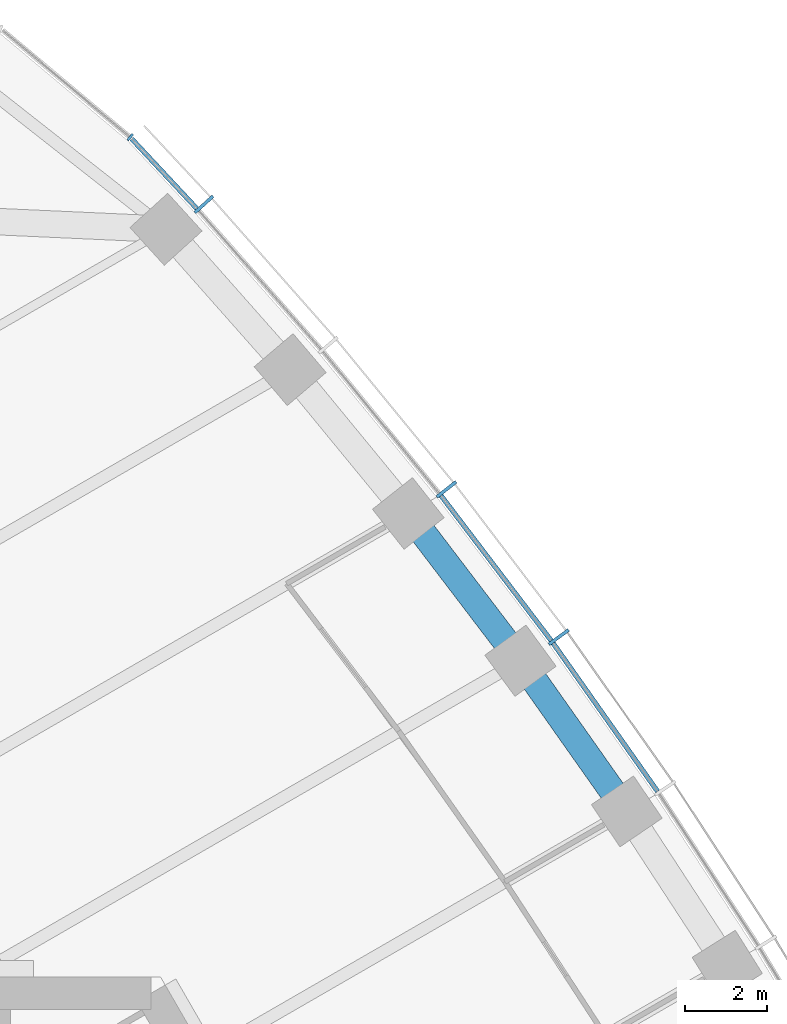
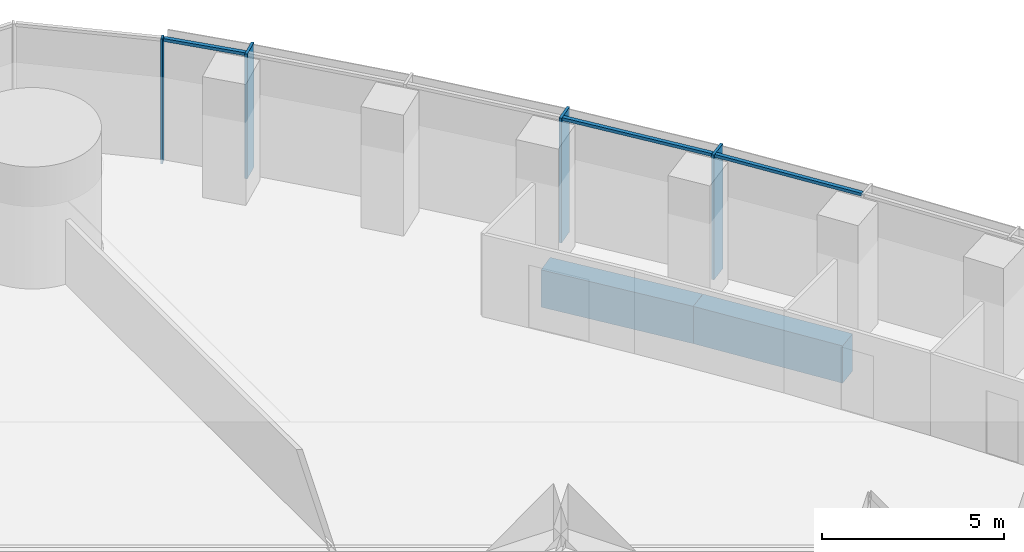
# One storey, part 7 of 19: 7 members, 2 beams, 2 elements without a shape of their own.
"""IFC4 building model written with IfcOpenShell, lengths in metres."""

from ifc_helpers import new_model, si_unit, direction, frame, origin, origin_2d, place, context, subcontext, project, spatial, rectangle, extrude, material, material_profile, profile_set, type_object, element, aggregate, save


model = new_model("IFC4")

# Units and contexts
model_context = context("Model", 3, precision=1e-05, world=origin(), true_north=direction((0.0, 1.0)))
body_context = subcontext(model_context, "Body", "Model", "MODEL_VIEW")
ifc_project = project(units=[si_unit("LENGTHUNIT", "METRE"), si_unit("AREAUNIT", "SQUARE_METRE"), si_unit("VOLUMEUNIT", "CUBIC_METRE"), si_unit("PLANEANGLEUNIT", "RADIAN"), si_unit("MASSUNIT", "GRAM", prefix="KILO")], contexts=[model_context])

# Site, building, storey
site_placement = place(None, origin())
site = spatial("IfcSite", under=ifc_project, at=site_placement, CompositionType="ELEMENT")
building_placement = place(site_placement, origin())
building = spatial("IfcBuilding", under=site, at=building_placement, Name="Trefoil Bronze Tower", CompositionType="ELEMENT")
storey_placement = place(building_placement, frame((0.0, 0.0, 140.89990234375)))
storey = spatial("IfcBuildingStorey", under=building, at=storey_placement, Name="L32", CompositionType="ELEMENT", Elevation=140.89990234375)

# Curtain wall, members
ifc_material_1 = material(Name="Tinted solar-control glass", Category="glass")
curtain_wall_type_1 = type_object("IfcCurtainWallType", Name="Bronze office curtain wall", PredefinedType="USERDEFINED", material=ifc_material_1)
curtain_wall_1_placement = place(storey_placement, origin())
curtain_wall_1 = element("IfcCurtainWall", 1, at=curtain_wall_1_placement, inside=storey, type_object=curtain_wall_type_1, Name="CW-A L32 F2", ObjectType="CURTAIN WALL", PredefinedType="USERDEFINED")
ifc_material_2 = material(Name="Bronze-finish aluminium", Category="aluminium")
ifc_material_profile_1 = material_profile(ifc_material_2, rectangle(XDim=0.60009765625, YDim=0.080078125, at=origin_2d()), Name="CW-A mullion")
ifc_profile_set_1 = profile_set([ifc_material_profile_1], Name="Bronze-finish aluminium")
member_type_1 = type_object("IfcMemberType", Name="Bronze office curtain wall mullion", PredefinedType="MULLION", material=ifc_profile_set_1)
member_1_placement = place(storey_placement, frame((15.764404296875, 24.7275390625, 0.0), z_axis=(0.0, 0.0, 1.0), x_axis=(-0.806874522901, -0.590722865897, 0.0)))
member_1 = element("IfcMember", 2, at=member_1_placement, type_object=member_type_1, Name="CW-A L32 F2 mullion 11", PredefinedType="MULLION", context=body_context, shape_type="SweptSolid", body=[
    extrude(rectangle(XDim=0.60009765625, YDim=0.080078125, at=origin_2d()), origin(), (0.0, 0.0, 1.0), 4.18017578125),
])
member_2_placement = place(storey_placement, frame((13.01220703125, 28.34716796875, 0.0), z_axis=(0.0, 0.0, 1.0), x_axis=(-0.78487913905, -0.619648882098, 0.0)))
member_2 = element("IfcMember", 3, at=member_2_placement, type_object=member_type_1, Name="CW-A L32 F2 mullion 12", PredefinedType="MULLION", context=body_context, shape_type="SweptSolid", body=[
    extrude(rectangle(XDim=0.60009765625, YDim=0.080078125, at=origin_2d()), origin(), (0.0, 0.0, 1.0), 4.18017578125),
])
member_3_placement = place(storey_placement, frame((7.070068359375, 35.332275390625, 0.0), z_axis=(0.0, 0.0, 1.0), x_axis=(-0.740360700327, -0.672209813534, 0.0)))
member_3 = element("IfcMember", 4, at=member_3_placement, type_object=member_type_1, Name="CW-A L32 F2 mullion 14", PredefinedType="MULLION", context=body_context, shape_type="SweptSolid", body=[
    extrude(rectangle(XDim=0.60009765625, YDim=0.080078125, at=origin_2d()), origin(), (0.0, 0.0, 1.0), 4.18017578125),
])
ifc_material_3 = material(Name="Bronze-finish aluminium", Category="aluminium")
ifc_material_profile_2 = material_profile(ifc_material_3, rectangle(XDim=0.1201171875, YDim=0.10009765625, at=origin_2d()), Name="CW-A transom")
ifc_profile_set_2 = profile_set([ifc_material_profile_2], Name="Bronze-finish aluminium")
member_type_2 = type_object("IfcMemberType", Name="Bronze office curtain wall transom", PredefinedType="USERDEFINED", material=ifc_profile_set_2)
member_4_placement = place(storey_placement, frame((18.18359375, 20.947021484375, 4.130126953125), z_axis=(-0.576017858824, 0.817437108478, 0.0), x_axis=(-0.817437108478, -0.576017858824, 0.0)))
member_4 = element("IfcMember", 5, at=member_4_placement, type_object=member_type_2, Name="CW-A L32 F2 transom 10", ObjectType="TRANSOM", PredefinedType="USERDEFINED", context=body_context, shape_type="SweptSolid", body=[
    extrude(rectangle(XDim=0.1201171875, YDim=0.10009765625, at=origin_2d()), origin(), (0.0, 0.0, 1.0), 4.4384765625),
])
member_5_placement = place(storey_placement, frame((15.57763671875, 24.642578125, 4.130126953125), z_axis=(-0.605229114572, 0.796051329296, 0.0), x_axis=(-0.796051329296, -0.605229114572, 0.0)))
member_5 = element("IfcMember", 6, at=member_5_placement, type_object=member_type_2, Name="CW-A L32 F2 transom 11", ObjectType="TRANSOM", PredefinedType="USERDEFINED", context=body_context, shape_type="SweptSolid", body=[
    extrude(rectangle(XDim=0.1201171875, YDim=0.10009765625, at=origin_2d()), origin(), (0.0, 0.0, 1.0), 4.456298828125),
])
member_6_placement = place(storey_placement, frame((6.893798828125, 35.22802734375, 4.130126953125), z_axis=(-0.682489214428, 0.730895664366, 0.0), x_axis=(-0.730895664366, -0.682489214428, 0.0)))
member_6 = element("IfcMember", 7, at=member_6_placement, type_object=member_type_2, Name="CW-A L32 F2 transom 14", ObjectType="TRANSOM", PredefinedType="USERDEFINED", context=body_context, shape_type="SweptSolid", body=[
    extrude(rectangle(XDim=0.1201171875, YDim=0.10009765625, at=origin_2d()), origin(), (0.0, 0.0, 1.0), 2.340087890625),
])
aggregate(curtain_wall_1, [member_1, member_2, member_3, member_4, member_5, member_6])

# Curtain wall, member
ifc_material_4 = material(Name="Tinted solar-control glass", Category="glass")
curtain_wall_type_2 = type_object("IfcCurtainWallType", Name="Bronze rounded corner curtain wall", PredefinedType="USERDEFINED", material=ifc_material_4)
curtain_wall_2_placement = place(storey_placement, origin())
curtain_wall_2 = element("IfcCurtainWall", 8, at=curtain_wall_2_placement, inside=storey, type_object=curtain_wall_type_2, Name="CW-B L32 K2", ObjectType="CURTAIN WALL", PredefinedType="USERDEFINED")
ifc_material_5 = material(Name="Bronze-finish aluminium", Category="aluminium")
ifc_material_profile_3 = material_profile(ifc_material_5, rectangle(XDim=0.199951171875, YDim=0.06005859375, at=origin_2d()), Name="CW-B mullion")
ifc_profile_set_3 = profile_set([ifc_material_profile_3], Name="Bronze-finish aluminium")
member_type_3 = type_object("IfcMemberType", Name="Bronze rounded corner curtain wall mullion", PredefinedType="MULLION", material=ifc_profile_set_3)
member_7_placement = place(storey_placement, frame((5.260498046875, 36.975830078125, 0.0), z_axis=(0.0, 0.0, 1.0), x_axis=(-0.642787609687, -0.766044443119, 0.0)))
member_7 = element("IfcMember", 9, at=member_7_placement, type_object=member_type_3, Name="CW-B L32 K2 mullion 1", PredefinedType="MULLION", context=body_context, shape_type="SweptSolid", body=[
    extrude(rectangle(XDim=0.199951171875, YDim=0.06005859375, at=origin_2d()), origin(), (0.0, 0.0, 1.0), 4.18017578125),
])
aggregate(curtain_wall_2, [member_7])

# Beams
ifc_material_6 = material(Name="Concrete B80", Category="concrete")
ifc_material_profile_4 = material_profile(ifc_material_6, rectangle(XDim=0.64990234375, YDim=1.25, at=origin_2d()), Name="RC 650x1250")
ifc_profile_set_4 = profile_set([ifc_material_profile_4], Name="Concrete B80")
beam_type = type_object("IfcBeamType", Name="Spandrel beam RC 650x1250", PredefinedType="SPANDREL", material=ifc_profile_set_4)
beam_1_placement = place(storey_placement, frame((17.43017578125, 20.45556640625, -0.824951171875), z_axis=(-0.576439228712, 0.81714002203, 0.0), x_axis=(-0.81714002203, -0.576439228712, 0.0)))
element("IfcBeam", 10, at=beam_1_placement, inside=storey, type_object=beam_type, Name="Spandrel F2.10 L32", PredefinedType="SPANDREL", context=body_context, shape_type="SweptSolid", body=[
    extrude(rectangle(XDim=0.64990234375, YDim=1.25, at=origin_2d()), origin(), (0.0, 0.0, 1.0), 4.5185546875),
])
beam_2_placement = place(storey_placement, frame((14.825439453125, 24.14794921875, -0.824951171875), z_axis=(-0.605898901788, 0.795541652468, 0.0), x_axis=(-0.795541652468, -0.605898901788, 0.0)))
element("IfcBeam", 11, at=beam_2_placement, inside=storey, type_object=beam_type, Name="Spandrel F2.11 L32", PredefinedType="SPANDREL", context=body_context, shape_type="SweptSolid", body=[
    extrude(rectangle(XDim=0.64990234375, YDim=1.25, at=origin_2d()), origin(), (0.0, 0.0, 1.0), 4.53662109375),
])

save(model, "model.ifc")
